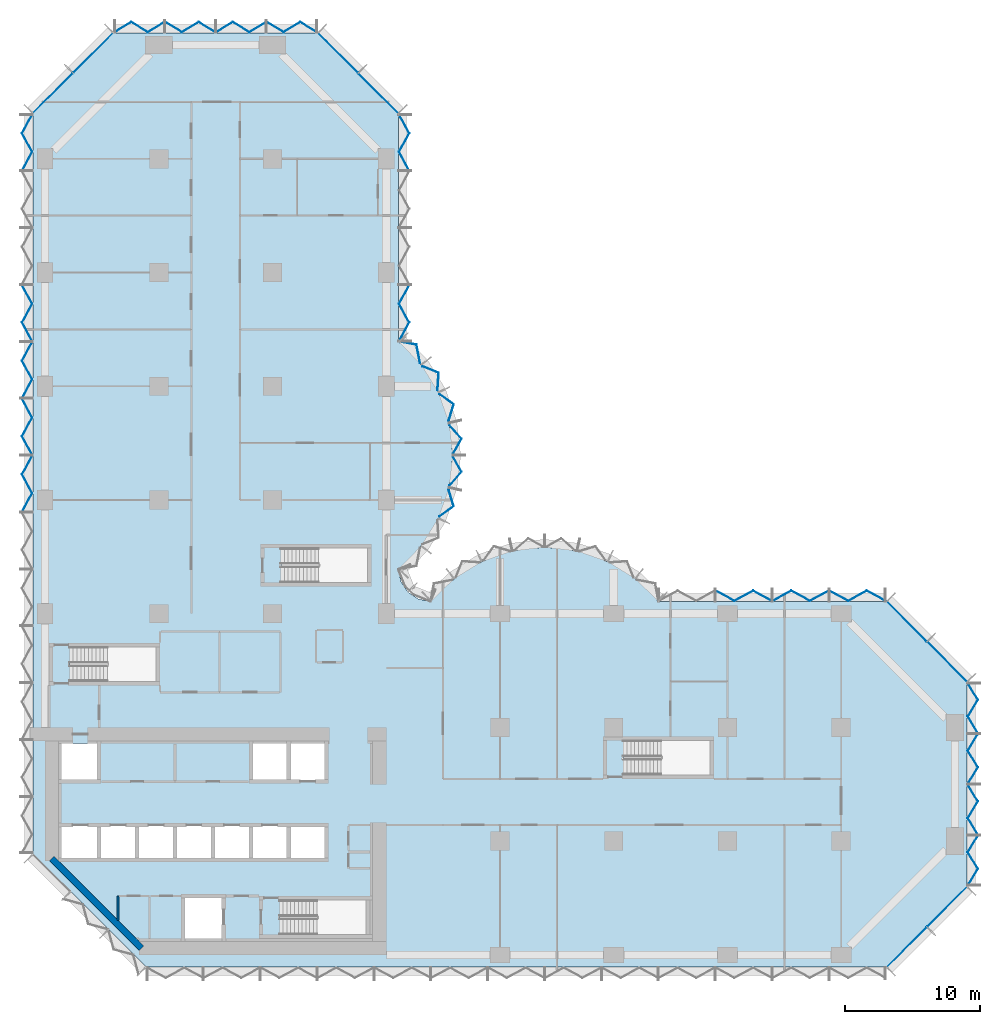
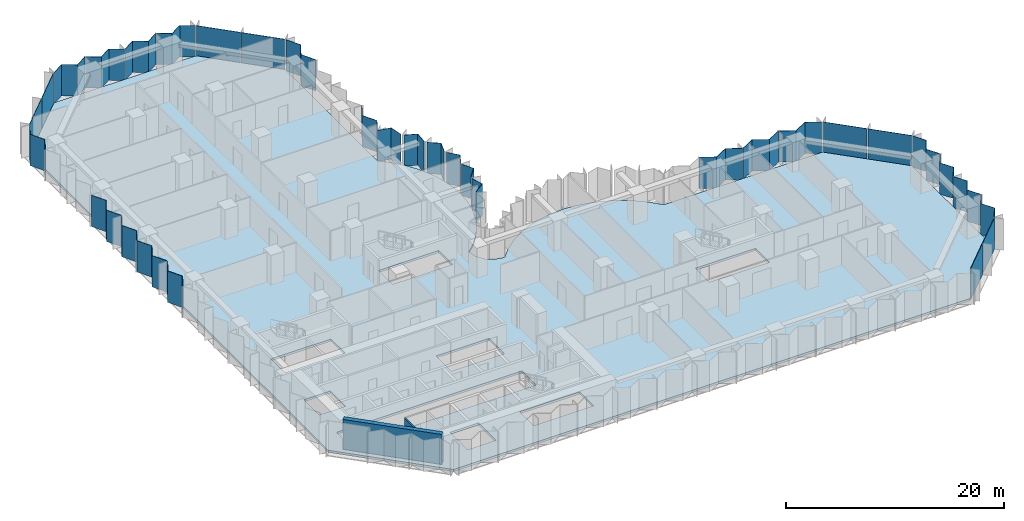
# One storey, part 6 of 15: 32 plates, 2 walls, 1 slab, 10 elements without a shape of their own.
"""IFC4 building model written with IfcOpenShell, lengths in metres."""

from ifc_helpers import new_model, si_unit, direction, frame, frame_2d, origin, place, context, subcontext, project, spatial, polyline, rectangle, outline, extrude, material, layer, layer_set, type_object, element, aggregate, save


model = new_model("IFC4")

# Units and contexts
model_context = context("Model", 3, precision=1e-05, world=origin(), true_north=direction((0.0, 1.0)))
body_context = subcontext(model_context, "Body", "Model", "MODEL_VIEW")
ifc_project = project(units=[si_unit("LENGTHUNIT", "METRE"), si_unit("AREAUNIT", "SQUARE_METRE"), si_unit("VOLUMEUNIT", "CUBIC_METRE"), si_unit("PLANEANGLEUNIT", "RADIAN"), si_unit("MASSUNIT", "GRAM", prefix="KILO")], contexts=[model_context])

# Site, building, storey
site_placement = place(None, origin())
site = spatial("IfcSite", under=ifc_project, at=site_placement, CompositionType="ELEMENT")
building_placement = place(site_placement, origin())
building = spatial("IfcBuilding", under=site, at=building_placement, Name="Brevane Broadcast Tower", CompositionType="ELEMENT")
storey_placement = place(building_placement, frame((0.0, 0.0, 68.89990234375)))
storey = spatial("IfcBuildingStorey", under=building, at=storey_placement, Name="L15", CompositionType="ELEMENT", Elevation=68.89990234375)

# Curtain wall, plates
ifc_material_1 = material(Name="Aluminium 6063-T6 bronze anodised", Category="aluminium")
curtain_wall_type = type_object("IfcCurtainWallType", Name="CW-1 curtain wall", PredefinedType="NOTDEFINED", material=ifc_material_1)
curtain_wall_1_placement = place(storey_placement, origin())
curtain_wall_1 = element("IfcCurtainWall", 1, at=curtain_wall_1_placement, inside=storey, type_object=curtain_wall_type, Name="CW-1 typical tilted unit L15 south-east chamfer", PredefinedType="NOTDEFINED")
ifc_material_2 = material(Name="Laminated glass bronze-tinted", Category="glass")
ifc_layer_1 = layer(ifc_material_2, 0.0400390625)
ifc_layer_set_1 = layer_set([ifc_layer_1], Name="CW tall glass panel 40")
plate_type = type_object("IfcPlateType", Name="CW tall glass panel 40", PredefinedType="CURTAIN_PANEL", material=ifc_layer_set_1)
plate_1_placement = place(storey_placement, frame((0.0, 0.0, -0.14990234375)))
plate_1 = element("IfcPlate", 2, at=plate_1_placement, type_object=plate_type, Name="CW-1 glass panel", PredefinedType="CURTAIN_PANEL", context=body_context, shape_type="SweptSolid", body=[
    extrude(outline(polyline([(62.14599609375, -0.896484375), (65.096435546875, 2.053955078125), (65.124755859375, 2.02587890625), (62.17431640625, -0.9248046875), (62.14599609375, -0.896484375)])), origin(), (0.0, 0.0, 1.0), 3.5),
])
plate_2_placement = place(storey_placement, frame((0.0, 0.0, -0.14990234375)))
plate_2 = element("IfcPlate", 3, at=plate_2_placement, type_object=plate_type, Name="CW-1 glass panel", PredefinedType="CURTAIN_PANEL", context=body_context, shape_type="SweptSolid", body=[
    extrude(outline(polyline([(65.14599609375, 2.103515625), (68.096435546875, 5.053955078125), (68.124755859375, 5.02587890625), (65.17431640625, 2.0751953125), (65.14599609375, 2.103515625)])), origin(), (0.0, 0.0, 1.0), 3.5),
])
aggregate(curtain_wall_1, [plate_1, plate_2])

curtain_wall_2_placement = place(storey_placement, origin())
curtain_wall_2 = element("IfcCurtainWall", 4, at=curtain_wall_2_placement, inside=storey, type_object=curtain_wall_type, Name="CW-1 typical tilted unit L15 east end", PredefinedType="NOTDEFINED")
plate_3_placement = place(storey_placement, frame((0.0, 0.0, -0.14990234375)))
plate_3 = element("IfcPlate", 5, at=plate_3_placement, type_object=plate_type, Name="CW-1 glass panel", PredefinedType="CURTAIN_PANEL", context=body_context, shape_type="SweptSolid", body=[
    extrude(outline(polyline([(68.126708984375, 5.135009765625), (68.17333984375, 5.135009765625), (68.917724609375, 6.36181640625), (68.17333984375, 7.58837890625), (68.917724609375, 8.81494140625), (68.87109375, 8.81494140625), (68.126708984375, 7.58837890625), (68.87109375, 6.36181640625), (68.126708984375, 5.135009765625)])), origin(), (0.0, 0.0, 1.0), 3.5),
])
plate_4_placement = place(storey_placement, frame((0.0, 0.0, -0.14990234375)))
plate_4 = element("IfcPlate", 6, at=plate_4_placement, type_object=plate_type, Name="CW-1 glass panel", PredefinedType="CURTAIN_PANEL", context=body_context, shape_type="SweptSolid", body=[
    extrude(outline(polyline([(68.87109375, 8.885009765625), (68.917724609375, 8.885009765625), (68.17333984375, 10.11181640625), (68.917724609375, 11.33837890625), (68.17333984375, 12.56494140625), (68.126708984375, 12.56494140625), (68.87109375, 11.33837890625), (68.126708984375, 10.11181640625), (68.87109375, 8.885009765625)])), origin(), (0.0, 0.0, 1.0), 3.5),
])
plate_5_placement = place(storey_placement, frame((0.0, 0.0, -0.14990234375)))
plate_5 = element("IfcPlate", 7, at=plate_5_placement, type_object=plate_type, Name="CW-1 glass panel", PredefinedType="CURTAIN_PANEL", context=body_context, shape_type="SweptSolid", body=[
    extrude(outline(polyline([(68.126708984375, 12.635009765625), (68.17333984375, 12.635009765625), (68.917724609375, 13.86181640625), (68.17333984375, 15.08837890625), (68.917724609375, 16.31494140625), (68.87109375, 16.31494140625), (68.126708984375, 15.08837890625), (68.87109375, 13.86181640625), (68.126708984375, 12.635009765625)])), origin(), (0.0, 0.0, 1.0), 3.5),
])
plate_6_placement = place(storey_placement, frame((0.0, 0.0, -0.14990234375)))
plate_6 = element("IfcPlate", 8, at=plate_6_placement, type_object=plate_type, Name="CW-1 glass panel", PredefinedType="CURTAIN_PANEL", context=body_context, shape_type="SweptSolid", body=[
    extrude(outline(polyline([(68.87109375, 16.385009765625), (68.917724609375, 16.385009765625), (68.17333984375, 17.61181640625), (68.917724609375, 18.83837890625), (68.17333984375, 20.06494140625), (68.126708984375, 20.06494140625), (68.87109375, 18.83837890625), (68.126708984375, 17.61181640625), (68.87109375, 16.385009765625)])), origin(), (0.0, 0.0, 1.0), 3.5),
])
aggregate(curtain_wall_2, [plate_3, plate_4, plate_5, plate_6])

curtain_wall_3_placement = place(storey_placement, origin())
curtain_wall_3 = element("IfcCurtainWall", 9, at=curtain_wall_3_placement, inside=storey, type_object=curtain_wall_type, Name="CW-1 typical tilted unit L15 north-east chamfer", PredefinedType="NOTDEFINED")
plate_7_placement = place(storey_placement, frame((0.0, 0.0, -0.14990234375)))
plate_7 = element("IfcPlate", 10, at=plate_7_placement, type_object=plate_type, Name="CW-1 glass panel", PredefinedType="CURTAIN_PANEL", context=body_context, shape_type="SweptSolid", body=[
    extrude(outline(polyline([(68.096435546875, 20.14599609375), (65.14599609375, 23.096435546875), (65.17431640625, 23.124755859375), (68.124755859375, 20.17431640625), (68.096435546875, 20.14599609375)])), origin(), (0.0, 0.0, 1.0), 3.5),
])
plate_8_placement = place(storey_placement, frame((0.0, 0.0, -0.14990234375)))
plate_8 = element("IfcPlate", 11, at=plate_8_placement, type_object=plate_type, Name="CW-1 glass panel", PredefinedType="CURTAIN_PANEL", context=body_context, shape_type="SweptSolid", body=[
    extrude(outline(polyline([(65.096435546875, 23.14599609375), (62.14599609375, 26.096435546875), (62.17431640625, 26.124755859375), (65.124755859375, 23.17431640625), (65.096435546875, 23.14599609375)])), origin(), (0.0, 0.0, 1.0), 3.5),
])
aggregate(curtain_wall_3, [plate_7, plate_8])

curtain_wall_4_placement = place(storey_placement, origin())
curtain_wall_4 = element("IfcCurtainWall", 12, at=curtain_wall_4_placement, inside=storey, type_object=curtain_wall_type, Name="CW-1 typical tilted unit L15 east arm north face", PredefinedType="NOTDEFINED")
plate_9_placement = place(storey_placement, frame((0.0, 0.0, -0.14990234375)))
plate_9 = element("IfcPlate", 13, at=plate_9_placement, type_object=plate_type, Name="CW-1 glass panel", PredefinedType="CURTAIN_PANEL", context=body_context, shape_type="SweptSolid", body=[
    extrude(outline(polyline([(62.06494140625, 26.127197265625), (62.06494140625, 26.172607421875), (60.688232421875, 26.9169921875), (59.311767578125, 26.172607421875), (57.93505859375, 26.9169921875), (57.93505859375, 26.87158203125), (59.311767578125, 26.127197265625), (60.688232421875, 26.87158203125), (62.06494140625, 26.127197265625)])), origin(), (0.0, 0.0, 1.0), 3.5),
])
plate_10_placement = place(storey_placement, frame((0.0, 0.0, -0.14990234375)))
plate_10 = element("IfcPlate", 14, at=plate_10_placement, type_object=plate_type, Name="CW-1 glass panel", PredefinedType="CURTAIN_PANEL", context=body_context, shape_type="SweptSolid", body=[
    extrude(outline(polyline([(57.864990234375, 26.87158203125), (57.864990234375, 26.9169921875), (56.48828125, 26.172607421875), (55.11181640625, 26.9169921875), (53.735107421875, 26.172607421875), (53.735107421875, 26.127197265625), (55.11181640625, 26.87158203125), (56.48828125, 26.127197265625), (57.864990234375, 26.87158203125)])), origin(), (0.0, 0.0, 1.0), 3.5),
])
plate_11_placement = place(storey_placement, frame((0.0, 0.0, -0.14990234375)))
plate_11 = element("IfcPlate", 15, at=plate_11_placement, type_object=plate_type, Name="CW-1 glass panel", PredefinedType="CURTAIN_PANEL", context=body_context, shape_type="SweptSolid", body=[
    extrude(outline(polyline([(53.6650390625, 26.127197265625), (53.6650390625, 26.172607421875), (52.288330078125, 26.9169921875), (50.91162109375, 26.172607421875), (49.534912109375, 26.9169921875), (49.534912109375, 26.87158203125), (50.91162109375, 26.127197265625), (52.288330078125, 26.87158203125), (53.6650390625, 26.127197265625)])), origin(), (0.0, 0.0, 1.0), 3.5),
])
aggregate(curtain_wall_4, [plate_9, plate_10, plate_11])

curtain_wall_5_placement = place(storey_placement, origin())
curtain_wall_5 = element("IfcCurtainWall", 16, at=curtain_wall_5_placement, inside=storey, type_object=curtain_wall_type, Name="CW-1 typical tilted unit L15 north bow", PredefinedType="NOTDEFINED")
plate_12_placement = place(storey_placement, frame((0.0, 0.0, -0.14990234375)))
plate_12 = element("IfcPlate", 17, at=plate_12_placement, type_object=plate_type, Name="CW-1 glass panel", PredefinedType="CURTAIN_PANEL", context=body_context, shape_type="SweptSolid", body=[
    extrude(outline(polyline([(29.104248046875, 32.400634765625), (29.1455078125, 32.381103515625), (30.20166015625, 33.132080078125), (29.83349609375, 34.349365234375), (29.78857421875, 34.359619140625), (30.155029296875, 33.148193359375), (29.104248046875, 32.400634765625)])), origin(), (0.0, 0.0, 1.0), 3.5),
])
plate_13_placement = place(storey_placement, frame((0.0, 0.0, -0.14990234375)))
plate_13 = element("IfcPlate", 18, at=plate_13_placement, type_object=plate_type, Name="CW-1 glass panel", PredefinedType="CURTAIN_PANEL", context=body_context, shape_type="SweptSolid", body=[
    extrude(outline(polyline([(29.859619140625, 34.6748046875), (29.903564453125, 34.664794921875), (30.779296875, 35.68310546875), (30.15869140625, 36.7919921875), (30.11279296875, 36.7919921875), (30.730712890625, 35.68798828125), (29.859619140625, 34.6748046875)])), origin(), (0.0, 0.0, 1.0), 3.5),
])
plate_14_placement = place(storey_placement, frame((0.0, 0.0, -0.14990234375)))
plate_14 = element("IfcPlate", 19, at=plate_14_placement, type_object=plate_type, Name="CW-1 glass panel", PredefinedType="CURTAIN_PANEL", context=body_context, shape_type="SweptSolid", body=[
    extrude(outline(polyline([(30.11279296875, 37.008056640625), (30.15869140625, 37.008056640625), (30.779296875, 38.116943359375), (29.903564453125, 39.13525390625), (29.859619140625, 39.125), (30.730712890625, 38.112060546875), (30.11279296875, 37.008056640625)])), origin(), (0.0, 0.0, 1.0), 3.5),
])
plate_15_placement = place(storey_placement, frame((0.0, 0.0, -0.14990234375)))
plate_15 = element("IfcPlate", 20, at=plate_15_placement, type_object=plate_type, Name="CW-1 glass panel", PredefinedType="CURTAIN_PANEL", context=body_context, shape_type="SweptSolid", body=[
    extrude(outline(polyline([(29.78857421875, 39.440185546875), (29.83349609375, 39.45068359375), (30.20166015625, 40.667724609375), (29.1455078125, 41.4189453125), (29.104248046875, 41.3994140625), (30.155029296875, 40.65185546875), (29.78857421875, 39.440185546875)])), origin(), (0.0, 0.0, 1.0), 3.5),
])
plate_16_placement = place(storey_placement, frame((0.0, 0.0, -0.14990234375)))
plate_16 = element("IfcPlate", 21, at=plate_16_placement, type_object=plate_type, Name="CW-1 glass panel", PredefinedType="CURTAIN_PANEL", context=body_context, shape_type="SweptSolid", body=[
    extrude(outline(polyline([(28.96533203125, 41.69091796875), (29.006591796875, 41.710693359375), (29.089111328125, 43.00390625), (27.912109375, 43.4853515625), (27.8759765625, 43.45703125), (29.04736328125, 42.977783203125), (28.96533203125, 41.69091796875)])), origin(), (0.0, 0.0, 1.0), 3.5),
])
plate_17_placement = place(storey_placement, frame((0.0, 0.0, -0.14990234375)))
plate_17 = element("IfcPlate", 22, at=plate_17_placement, type_object=plate_type, Name="CW-1 glass panel", PredefinedType="CURTAIN_PANEL", context=body_context, shape_type="SweptSolid", body=[
    extrude(outline(polyline([(27.67626953125, 43.7109375), (27.71142578125, 43.738525390625), (27.447265625, 45.086181640625), (26.17919921875, 45.327880859375), (26.14404296875, 45.2939453125), (27.4130859375, 45.052001953125), (27.67626953125, 43.7109375)])), origin(), (0.0, 0.0, 1.0), 3.5),
])
aggregate(curtain_wall_5, [plate_12, plate_13, plate_14, plate_15, plate_16, plate_17])

curtain_wall_6_placement = place(storey_placement, origin())
curtain_wall_6 = element("IfcCurtainWall", 23, at=curtain_wall_6_placement, inside=storey, type_object=curtain_wall_type, Name="CW-1 typical tilted unit L15 north arm east face", PredefinedType="NOTDEFINED")
plate_18_placement = place(storey_placement, frame((0.0, 0.0, -0.14990234375)))
plate_18 = element("IfcPlate", 24, at=plate_18_placement, type_object=plate_type, Name="CW-1 glass panel", PredefinedType="CURTAIN_PANEL", context=body_context, shape_type="SweptSolid", body=[
    extrude(outline(polyline([(26.127197265625, 45.3349609375), (26.172607421875, 45.3349609375), (26.9169921875, 46.711669921875), (26.172607421875, 48.08837890625), (26.9169921875, 49.465087890625), (26.87158203125, 49.465087890625), (26.127197265625, 48.08837890625), (26.87158203125, 46.711669921875), (26.127197265625, 45.3349609375)])), origin(), (0.0, 0.0, 1.0), 3.5),
])
plate_19_placement = place(storey_placement, frame((0.0, 0.0, -0.14990234375)))
plate_19 = element("IfcPlate", 25, at=plate_19_placement, type_object=plate_type, Name="CW-1 glass panel", PredefinedType="CURTAIN_PANEL", context=body_context, shape_type="SweptSolid", body=[
    extrude(outline(polyline([(26.87158203125, 57.93505859375), (26.9169921875, 57.93505859375), (26.172607421875, 59.311767578125), (26.9169921875, 60.688232421875), (26.172607421875, 62.06494140625), (26.127197265625, 62.06494140625), (26.87158203125, 60.688232421875), (26.127197265625, 59.311767578125), (26.87158203125, 57.93505859375)])), origin(), (0.0, 0.0, 1.0), 3.5),
])
aggregate(curtain_wall_6, [plate_18, plate_19])

curtain_wall_7_placement = place(storey_placement, origin())
curtain_wall_7 = element("IfcCurtainWall", 26, at=curtain_wall_7_placement, inside=storey, type_object=curtain_wall_type, Name="CW-1 typical tilted unit L15 north arm north-east chamfer", PredefinedType="NOTDEFINED")
plate_20_placement = place(storey_placement, frame((0.0, 0.0, -0.14990234375)))
plate_20 = element("IfcPlate", 27, at=plate_20_placement, type_object=plate_type, Name="CW-1 glass panel", PredefinedType="CURTAIN_PANEL", context=body_context, shape_type="SweptSolid", body=[
    extrude(outline(polyline([(26.096435546875, 62.14599609375), (23.14599609375, 65.096435546875), (23.17431640625, 65.124755859375), (26.124755859375, 62.17431640625), (26.096435546875, 62.14599609375)])), origin(), (0.0, 0.0, 1.0), 3.5),
])
plate_21_placement = place(storey_placement, frame((0.0, 0.0, -0.14990234375)))
plate_21 = element("IfcPlate", 28, at=plate_21_placement, type_object=plate_type, Name="CW-1 glass panel", PredefinedType="CURTAIN_PANEL", context=body_context, shape_type="SweptSolid", body=[
    extrude(outline(polyline([(23.096435546875, 65.14599609375), (20.14599609375, 68.096435546875), (20.17431640625, 68.124755859375), (23.124755859375, 65.17431640625), (23.096435546875, 65.14599609375)])), origin(), (0.0, 0.0, 1.0), 3.5),
])
aggregate(curtain_wall_7, [plate_20, plate_21])

curtain_wall_8_placement = place(storey_placement, origin())
curtain_wall_8 = element("IfcCurtainWall", 29, at=curtain_wall_8_placement, inside=storey, type_object=curtain_wall_type, Name="CW-1 typical tilted unit L15 north end", PredefinedType="NOTDEFINED")
plate_22_placement = place(storey_placement, frame((0.0, 0.0, -0.14990234375)))
plate_22 = element("IfcPlate", 30, at=plate_22_placement, type_object=plate_type, Name="CW-1 glass panel", PredefinedType="CURTAIN_PANEL", context=body_context, shape_type="SweptSolid", body=[
    extrude(outline(polyline([(20.06494140625, 68.126708984375), (20.06494140625, 68.17333984375), (18.83837890625, 68.917724609375), (17.61181640625, 68.17333984375), (16.385009765625, 68.917724609375), (16.385009765625, 68.87109375), (17.61181640625, 68.126708984375), (18.83837890625, 68.87109375), (20.06494140625, 68.126708984375)])), origin(), (0.0, 0.0, 1.0), 3.5),
])
plate_23_placement = place(storey_placement, frame((0.0, 0.0, -0.14990234375)))
plate_23 = element("IfcPlate", 31, at=plate_23_placement, type_object=plate_type, Name="CW-1 glass panel", PredefinedType="CURTAIN_PANEL", context=body_context, shape_type="SweptSolid", body=[
    extrude(outline(polyline([(16.31494140625, 68.87109375), (16.31494140625, 68.917724609375), (15.08837890625, 68.17333984375), (13.86181640625, 68.917724609375), (12.635009765625, 68.17333984375), (12.635009765625, 68.126708984375), (13.86181640625, 68.87109375), (15.08837890625, 68.126708984375), (16.31494140625, 68.87109375)])), origin(), (0.0, 0.0, 1.0), 3.5),
])
plate_24_placement = place(storey_placement, frame((0.0, 0.0, -0.14990234375)))
plate_24 = element("IfcPlate", 32, at=plate_24_placement, type_object=plate_type, Name="CW-1 glass panel", PredefinedType="CURTAIN_PANEL", context=body_context, shape_type="SweptSolid", body=[
    extrude(outline(polyline([(12.56494140625, 68.126708984375), (12.56494140625, 68.17333984375), (11.33837890625, 68.917724609375), (10.11181640625, 68.17333984375), (8.885009765625, 68.917724609375), (8.885009765625, 68.87109375), (10.11181640625, 68.126708984375), (11.33837890625, 68.87109375), (12.56494140625, 68.126708984375)])), origin(), (0.0, 0.0, 1.0), 3.5),
])
plate_25_placement = place(storey_placement, frame((0.0, 0.0, -0.14990234375)))
plate_25 = element("IfcPlate", 33, at=plate_25_placement, type_object=plate_type, Name="CW-1 glass panel", PredefinedType="CURTAIN_PANEL", context=body_context, shape_type="SweptSolid", body=[
    extrude(outline(polyline([(8.81494140625, 68.87109375), (8.81494140625, 68.917724609375), (7.58837890625, 68.17333984375), (6.36181640625, 68.917724609375), (5.135009765625, 68.17333984375), (5.135009765625, 68.126708984375), (6.36181640625, 68.87109375), (7.58837890625, 68.126708984375), (8.81494140625, 68.87109375)])), origin(), (0.0, 0.0, 1.0), 3.5),
])
aggregate(curtain_wall_8, [plate_22, plate_23, plate_24, plate_25])

curtain_wall_9_placement = place(storey_placement, origin())
curtain_wall_9 = element("IfcCurtainWall", 34, at=curtain_wall_9_placement, inside=storey, type_object=curtain_wall_type, Name="CW-1 typical tilted unit L15 north-west chamfer", PredefinedType="NOTDEFINED")
plate_26_placement = place(storey_placement, frame((0.0, 0.0, -0.14990234375)))
plate_26 = element("IfcPlate", 35, at=plate_26_placement, type_object=plate_type, Name="CW-1 glass panel", PredefinedType="CURTAIN_PANEL", context=body_context, shape_type="SweptSolid", body=[
    extrude(outline(polyline([(5.053955078125, 68.096435546875), (2.103515625, 65.14599609375), (2.0751953125, 65.17431640625), (5.02587890625, 68.124755859375), (5.053955078125, 68.096435546875)])), origin(), (0.0, 0.0, 1.0), 3.5),
])
plate_27_placement = place(storey_placement, frame((0.0, 0.0, -0.14990234375)))
plate_27 = element("IfcPlate", 36, at=plate_27_placement, type_object=plate_type, Name="CW-1 glass panel", PredefinedType="CURTAIN_PANEL", context=body_context, shape_type="SweptSolid", body=[
    extrude(outline(polyline([(2.053955078125, 65.096435546875), (-0.896484375, 62.14599609375), (-0.9248046875, 62.17431640625), (2.02587890625, 65.124755859375), (2.053955078125, 65.096435546875)])), origin(), (0.0, 0.0, 1.0), 3.5),
])
aggregate(curtain_wall_9, [plate_26, plate_27])

curtain_wall_10_placement = place(storey_placement, origin())
curtain_wall_10 = element("IfcCurtainWall", 37, at=curtain_wall_10_placement, inside=storey, type_object=curtain_wall_type, Name="CW-1 typical tilted unit L15 west face", PredefinedType="NOTDEFINED")
plate_28_placement = place(storey_placement, frame((0.0, 0.0, -0.14990234375)))
plate_28 = element("IfcPlate", 38, at=plate_28_placement, type_object=plate_type, Name="CW-1 glass panel", PredefinedType="CURTAIN_PANEL", context=body_context, shape_type="SweptSolid", body=[
    extrude(outline(polyline([(-0.92724609375, 62.06494140625), (-0.97265625, 62.06494140625), (-1.717041015625, 60.688232421875), (-0.97265625, 59.311767578125), (-1.717041015625, 57.93505859375), (-1.671630859375, 57.93505859375), (-0.92724609375, 59.311767578125), (-1.671630859375, 60.688232421875), (-0.92724609375, 62.06494140625)])), origin(), (0.0, 0.0, 1.0), 3.5),
])
plate_29_placement = place(storey_placement, frame((0.0, 0.0, -0.14990234375)))
plate_29 = element("IfcPlate", 39, at=plate_29_placement, type_object=plate_type, Name="CW-1 glass panel", PredefinedType="CURTAIN_PANEL", context=body_context, shape_type="SweptSolid", body=[
    extrude(outline(polyline([(-1.671630859375, 49.465087890625), (-1.717041015625, 49.465087890625), (-0.97265625, 48.08837890625), (-1.717041015625, 46.711669921875), (-0.97265625, 45.3349609375), (-0.92724609375, 45.3349609375), (-1.671630859375, 46.711669921875), (-0.92724609375, 48.08837890625), (-1.671630859375, 49.465087890625)])), origin(), (0.0, 0.0, 1.0), 3.5),
])
plate_30_placement = place(storey_placement, frame((0.0, 0.0, -0.14990234375)))
plate_30 = element("IfcPlate", 40, at=plate_30_placement, type_object=plate_type, Name="CW-1 glass panel", PredefinedType="CURTAIN_PANEL", context=body_context, shape_type="SweptSolid", body=[
    extrude(outline(polyline([(-0.92724609375, 45.264892578125), (-0.97265625, 45.264892578125), (-1.717041015625, 43.88818359375), (-0.97265625, 42.51171875), (-1.717041015625, 41.135009765625), (-1.671630859375, 41.135009765625), (-0.92724609375, 42.51171875), (-1.671630859375, 43.88818359375), (-0.92724609375, 45.264892578125)])), origin(), (0.0, 0.0, 1.0), 3.5),
])
plate_31_placement = place(storey_placement, frame((0.0, 0.0, -0.14990234375)))
plate_31 = element("IfcPlate", 41, at=plate_31_placement, type_object=plate_type, Name="CW-1 glass panel", PredefinedType="CURTAIN_PANEL", context=body_context, shape_type="SweptSolid", body=[
    extrude(outline(polyline([(-1.671630859375, 41.06494140625), (-1.717041015625, 41.06494140625), (-0.97265625, 39.688232421875), (-1.717041015625, 38.311767578125), (-0.97265625, 36.93505859375), (-0.92724609375, 36.93505859375), (-1.671630859375, 38.311767578125), (-0.92724609375, 39.688232421875), (-1.671630859375, 41.06494140625)])), origin(), (0.0, 0.0, 1.0), 3.5),
])
plate_32_placement = place(storey_placement, frame((0.0, 0.0, -0.14990234375)))
plate_32 = element("IfcPlate", 42, at=plate_32_placement, type_object=plate_type, Name="CW-1 glass panel", PredefinedType="CURTAIN_PANEL", context=body_context, shape_type="SweptSolid", body=[
    extrude(outline(polyline([(-0.92724609375, 36.864990234375), (-0.97265625, 36.864990234375), (-1.717041015625, 35.48828125), (-0.97265625, 34.11181640625), (-1.717041015625, 32.735107421875), (-1.671630859375, 32.735107421875), (-0.92724609375, 34.11181640625), (-1.671630859375, 35.48828125), (-0.92724609375, 36.864990234375)])), origin(), (0.0, 0.0, 1.0), 3.5),
])
aggregate(curtain_wall_10, [plate_28, plate_29, plate_30, plate_31, plate_32])

# Slab
ifc_material_3 = material(Name="Concrete C40/50", Category="concrete")
ifc_layer_2 = layer(ifc_material_3, 0.25)
ifc_layer_set_2 = layer_set([ifc_layer_2], Name="RC FLOOR SLAB 250 C40/50")
slab_type = type_object("IfcSlabType", Name="RC FLOOR SLAB 250 C40/50", PredefinedType="FLOOR", material=ifc_layer_set_2)
slab_placement = place(storey_placement, frame((0.0, 0.0, -0.25)))
element("IfcSlab", 43, at=slab_placement, inside=storey, type_object=slab_type, Name="SL250 L15", PredefinedType="FLOOR", context=body_context, shape_type="SweptSolid", body=[
    extrude(outline(polyline([(-0.89990234375, 7.5), (-0.89990234375, 62.10009765625), (5.10009765625, 68.10009765625), (20.10009765625, 68.10009765625), (26.10009765625, 62.10009765625), (26.10009765625, 45.300048828125), (27.10888671875, 44.36865234375), (27.99169921875, 43.317138671875), (28.734130859375, 42.162353515625), (29.324462890625, 40.922607421875), (29.7529296875, 39.618408203125), (30.012939453125, 38.270263671875), (30.10009765625, 36.89990234375), (30.012939453125, 35.52978515625), (29.7529296875, 34.181640625), (29.324462890625, 32.877197265625), (28.734130859375, 31.6376953125), (27.99169921875, 30.48291015625), (27.10888671875, 29.431396484375), (26.10009765625, 28.5), (26.28271484375, 27.58154296875), (26.802978515625, 26.802978515625), (27.58154296875, 26.28271484375), (28.5, 26.10009765625), (29.431396484375, 27.10888671875), (30.48291015625, 27.99169921875), (31.6376953125, 28.734130859375), (32.877197265625, 29.324462890625), (34.181640625, 29.7529296875), (35.52978515625, 30.012939453125), (36.89990234375, 30.10009765625), (38.270263671875, 30.012939453125), (39.618408203125, 29.7529296875), (40.922607421875, 29.324462890625), (42.162353515625, 28.734130859375), (43.317138671875, 27.99169921875), (44.36865234375, 27.10888671875), (45.300048828125, 26.10009765625), (62.10009765625, 26.10009765625), (68.10009765625, 20.10009765625), (68.10009765625, 5.10009765625), (62.10009765625, -0.89990234375), (7.5, -0.89990234375), (-0.89990234375, 7.5)]), holes=[polyline([(13.199951171875, 4.39990234375), (10.199951171875, 4.39990234375), (10.199951171875, 1.199951171875), (13.199951171875, 1.199951171875), (13.199951171875, 4.39990234375)]), polyline([(4.0, 9.60009765625), (1.199951171875, 9.60009765625), (1.199951171875, 7.0), (4.0, 7.0), (6.800048828125, 7.0), (9.60009765625, 7.0), (12.39990234375, 7.0), (15.199951171875, 7.0), (18.0, 7.0), (20.800048828125, 7.0), (20.800048828125, 9.60009765625), (18.0, 9.60009765625), (15.199951171875, 9.60009765625), (12.39990234375, 9.60009765625), (9.60009765625, 9.60009765625), (6.800048828125, 9.60009765625), (4.0, 9.60009765625)]), polyline([(4.0, 12.800048828125), (4.0, 15.60009765625), (1.199951171875, 15.60009765625), (1.199951171875, 12.800048828125), (4.0, 12.800048828125)]), polyline([(8.199951171875, 22.75), (1.860107421875, 22.75), (1.860107421875, 20.199951171875), (8.199951171875, 20.199951171875), (8.199951171875, 22.75)]), polyline([(23.699951171875, 4.050048828125), (17.360107421875, 4.050048828125), (17.360107421875, 1.5), (23.699951171875, 1.5), (23.699951171875, 4.050048828125)]), polyline([(18.0, 15.60009765625), (15.199951171875, 15.60009765625), (15.199951171875, 12.800048828125), (18.0, 12.800048828125), (20.800048828125, 12.800048828125), (20.800048828125, 15.60009765625), (18.0, 15.60009765625)]), polyline([(49.10009765625, 15.85009765625), (42.760009765625, 15.85009765625), (42.760009765625, 13.300048828125), (49.10009765625, 13.300048828125), (49.10009765625, 15.85009765625)]), polyline([(23.800048828125, 30.050048828125), (17.4599609375, 30.050048828125), (17.4599609375, 27.5), (23.800048828125, 27.5), (23.800048828125, 30.050048828125)])]), origin(), (0.0, 0.0, 1.0), 0.25),
])

# Walls
ifc_material_4 = material(Name="Gypsum board on steel studs", Category="steel")
ifc_layer_3 = layer(ifc_material_4, 0.14990234375)
ifc_layer_set_3 = layer_set([ifc_layer_3], Name="Core fire partition 150 mm")
wall_type_1 = type_object("IfcWallType", Name="Core fire partition 150 mm", PredefinedType="PARTITIONING", material=ifc_layer_set_3)
wall_1_placement = place(storey_placement, frame((5.39990234375, 2.553466796875, 0.0), z_axis=(0.0, 0.0, 1.0), x_axis=(0.0, 1.0, 0.0)))
element("IfcWall", 44, at=wall_1_placement, inside=storey, type_object=wall_type_1, Name="L15 partition wall P10", PredefinedType="PARTITIONING", context=body_context, shape_type="SweptSolid", body=[
    extrude(rectangle(XDim=1.796630859375, YDim=0.14990234375, at=frame_2d((0.8984375, 0.0))), origin(), (0.0, 0.0, 1.0), 3.35009765625),
])
ifc_material_5 = material(Name="Concrete C80/95", Category="concrete")
ifc_layer_4 = layer(ifc_material_5, 0.449951171875)
ifc_layer_set_4 = layer_set([ifc_layer_4], Name="Core wall 450 mm C80/95")
wall_type_2 = type_object("IfcWallType", Name="Core wall 450 mm C80/95", PredefinedType="SHEAR", material=ifc_layer_set_4)
wall_2_placement = place(storey_placement, frame((0.5, 7.1181640625, 0.0), z_axis=(0.0, 0.0, 1.0), x_axis=(0.707106781187, -0.707106781187, 0.0)))
element("IfcWall", 45, at=wall_2_placement, inside=storey, type_object=wall_type_2, Name="L15 outer wall WC", PredefinedType="SHEAR", context=body_context, shape_type="SweptSolid", body=[
    extrude(rectangle(XDim=9.359619140625, YDim=0.449951171875, at=frame_2d((4.6796875, 0.0))), origin(), (0.0, 0.0, 1.0), 3.35009765625),
])

save(model, "model.ifc")
